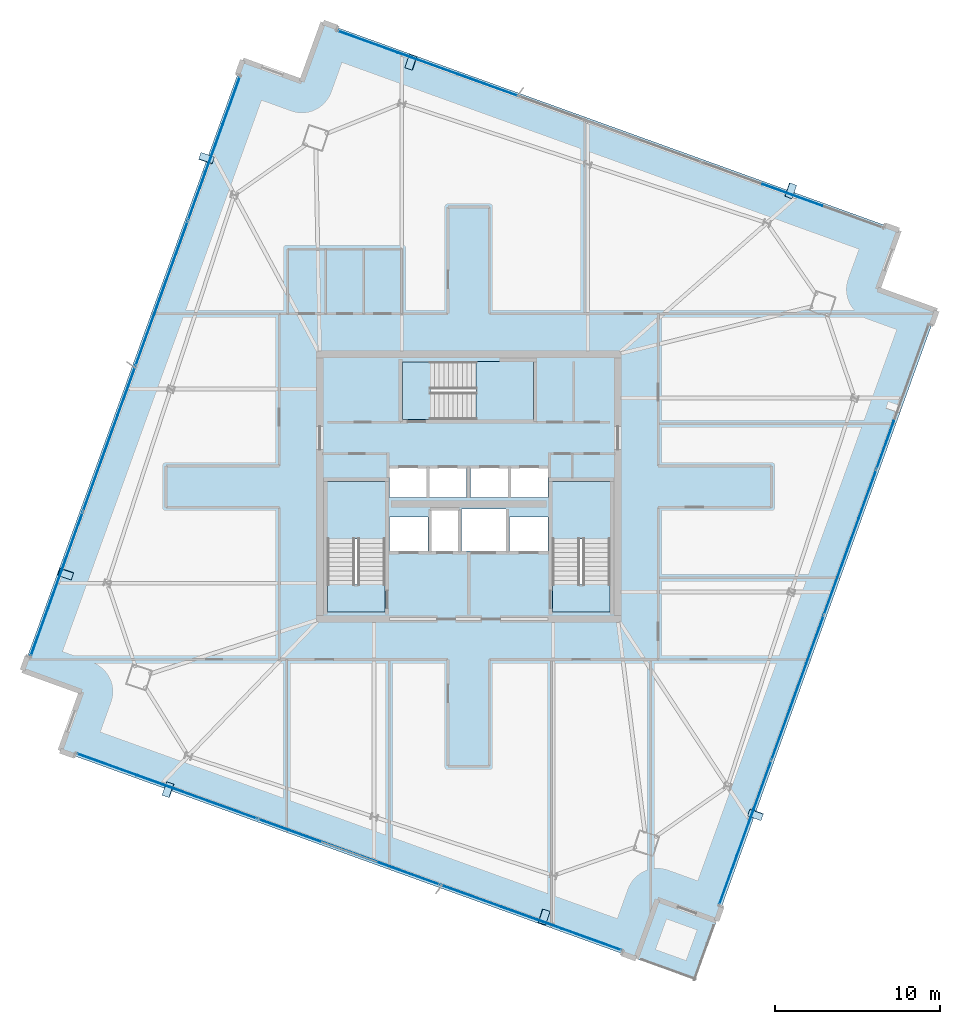
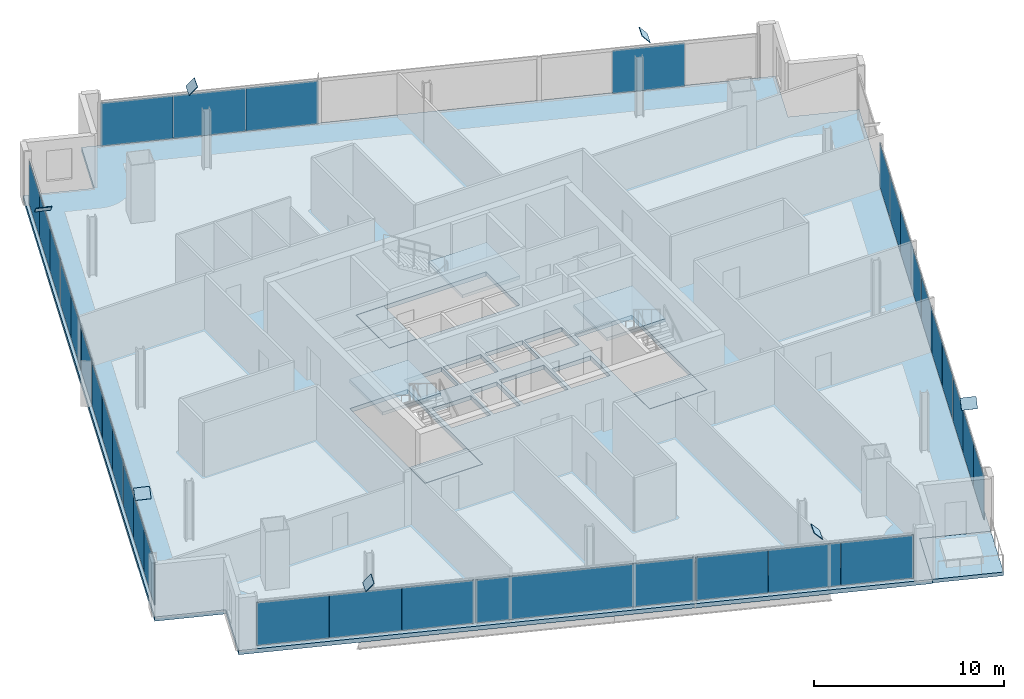
# One storey, part 18 of 27: 40 plates, 8 slabs, 7 elements without a shape of their own.
"""IFC4 building model written with IfcOpenShell, lengths in metres."""

import ifcopenshell
import ifcopenshell.guid

model = None  # the IFC model being written
_history = None  # IfcOwnerHistory: only IFC2X3 demands one
_inside = {}  # id of a spatial element -> (the spatial element, [elements in it])
_under = {}  # id of a project, library or spatial element -> (it, [spatial elements below it])
_declared = {}  # id of a project -> (the project, [libraries it declares])
_typed = {}  # id of a type object -> (the type object, [elements of that type])
_made_of = {}  # id of a material, layer set ... -> (it, [elements and type objects made of it])


def new_model(schema):
    """Start an empty IFC model of exactly this schema.

    Asked for "IFC4X3", IfcOpenShell would pick the latest addendum, in which some entities
    have other attributes; the version numbers below select the first issue.
    IFC2X3 requires an IfcOwnerHistory on every rooted entity: one is made here for all.
    """
    global model, _history
    if schema == "IFC4X3":
        model = ifcopenshell.file(schema_version=(4, 3, 0, 0))
    else:
        model = ifcopenshell.file(schema=schema)
    _inside.clear()
    _under.clear()
    _declared.clear()
    _typed.clear()
    _made_of.clear()
    _history = None
    if model.schema == "IFC2X3":
        org = make("IfcOrganization", Name="unknown")
        user = make(
            "IfcPersonAndOrganization",
            ThePerson=make("IfcPerson", FamilyName="unknown"),
            TheOrganization=org,
        )
        app = make(
            "IfcApplication",
            ApplicationDeveloper=org,
            Version="unknown",
            ApplicationFullName="unknown",
            ApplicationIdentifier="unknown",
        )
        _history = make(
            "IfcOwnerHistory",
            OwningUser=user,
            OwningApplication=app,
            ChangeAction="ADDED",
            CreationDate=0,
        )
    return model


def make(cls, **values):
    """One entity of the class cls with the attributes given. An attribute that is None is left unset."""
    return model.create_entity(
        cls, **{name: value for name, value in values.items() if value is not None}
    )


def rooted(cls, **values):
    """An entity with a GlobalId (a new one), such as an element, a storey or a relation."""
    return make(cls, GlobalId=ifcopenshell.guid.new(), OwnerHistory=_history, **values)


def si_unit(unit_type, name, prefix=None):
    """IfcSIUnit, for example si_unit("LENGTHUNIT", "METRE", prefix="MILLI")."""
    return make("IfcSIUnit", UnitType=unit_type, Prefix=prefix, Name=name)


def assignment(units):
    """IfcUnitAssignment: the units of a project."""
    return None if units is None else make("IfcUnitAssignment", Units=units)


def point(xyz):
    """IfcCartesianPoint."""
    return None if xyz is None else make("IfcCartesianPoint", Coordinates=xyz)


def direction(xyz):
    """IfcDirection."""
    return None if xyz is None else make("IfcDirection", DirectionRatios=xyz)


def frame(location, z_axis=None, x_axis=None):
    """IfcAxis2Placement3D, a coordinate frame: its origin and axes. An axis left out is left unset."""
    return make(
        "IfcAxis2Placement3D",
        Location=point(location),
        Axis=direction(z_axis),
        RefDirection=direction(x_axis),
    )


def frame_2d(location, x_axis=None):
    """IfcAxis2Placement2D, a coordinate frame in the plane: its origin and x axis."""
    return make(
        "IfcAxis2Placement2D", Location=point(location), RefDirection=direction(x_axis)
    )


def origin():
    """The frame at (0, 0, 0) with its axes left unset."""
    return frame((0.0, 0.0, 0.0))


def origin_2d():
    """The frame at (0, 0) in the plane with its x axis left unset."""
    return frame_2d((0.0, 0.0))


def place(relative_to, where):
    """IfcLocalPlacement: puts the frame where relative to a parent placement (None: the world)."""
    return make(
        "IfcLocalPlacement", PlacementRelTo=relative_to, RelativePlacement=where
    )


def context(
    kind, dimensions, precision=None, world=None, true_north=None, identifier=None
):
    """IfcGeometricRepresentationContext, for example the 3D "Model" context."""
    return make(
        "IfcGeometricRepresentationContext",
        ContextIdentifier=identifier,
        ContextType=kind,
        CoordinateSpaceDimension=dimensions,
        Precision=precision,
        WorldCoordinateSystem=world,
        TrueNorth=true_north,
    )


def subcontext(parent, identifier, kind, view, scale=None):
    """IfcGeometricRepresentationSubContext, for example "Body" below "Model"."""
    return make(
        "IfcGeometricRepresentationSubContext",
        ContextIdentifier=identifier,
        ContextType=kind,
        ParentContext=parent,
        TargetScale=scale,
        TargetView=view,
    )


def project(units=None, contexts=None):
    """IfcProject with its units and contexts."""
    return rooted(
        "IfcProject",
        Name="project",
        RepresentationContexts=contexts,
        UnitsInContext=assignment(units),
    )


def spatial(cls, under=None, at=None, **own):
    """A site, building, storey or space (cls), placed at a placement, below another one or the project."""
    s = rooted(cls, ObjectPlacement=at, **own)
    if under is not None:
        _under.setdefault(under.id(), (under, []))[1].append(s)
    return s


def polyline(points):
    """IfcPolyline through the points."""
    return make("IfcPolyline", Points=[point(p) for p in points])


def profile(cls, at=None, kind="AREA", **sizes):
    """A parametric profile (cls). Its sizes go by their IFC names, for example OverallWidth=200.0."""
    return make(cls, ProfileType=kind, Position=at, **sizes)


def rectangle(**sizes):
    """IfcRectangleProfileDef."""
    return profile("IfcRectangleProfileDef", **sizes)


def outline(outer, holes=None, kind="AREA"):
    """IfcArbitraryClosedProfileDef: a profile drawn as a closed curve; with holes, ...WithVoids."""
    if holes is None:
        return make("IfcArbitraryClosedProfileDef", ProfileType=kind, OuterCurve=outer)
    return make(
        "IfcArbitraryProfileDefWithVoids",
        ProfileType=kind,
        OuterCurve=outer,
        InnerCurves=holes,
    )


def extrude(swept, where, along, depth):
    """IfcExtrudedAreaSolid: the profile swept, set in the frame where, extruded along a direction by depth."""
    return make(
        "IfcExtrudedAreaSolid",
        SweptArea=swept,
        Position=where,
        ExtrudedDirection=direction(along),
        Depth=depth,
    )


def shape(context_of_items, identifier, shape_type, items):
    """IfcShapeRepresentation: the items that make up one representation, for example the "Body"."""
    return make(
        "IfcShapeRepresentation",
        ContextOfItems=context_of_items,
        RepresentationIdentifier=identifier,
        RepresentationType=shape_type,
        Items=items,
    )


def source(mapping_origin, context_of_items, identifier, shape_type, items):
    """IfcRepresentationMap: a shape defined once, which mapped items show again and again."""
    return make(
        "IfcRepresentationMap",
        MappingOrigin=mapping_origin,
        MappedRepresentation=shape(context_of_items, identifier, shape_type, items),
    )


def transform(
    local_origin,
    x_axis=None,
    y_axis=None,
    z_axis=None,
    scale=None,
    scale2=None,
    scale3=None,
    uniform=True,
):
    """IfcCartesianTransformationOperator3D, or its non-uniform kind. x_axis, y_axis, z_axis: its Axis1, 2, 3."""
    if uniform:
        return make(
            "IfcCartesianTransformationOperator3D",
            Axis1=direction(x_axis),
            Axis2=direction(y_axis),
            LocalOrigin=point(local_origin),
            Scale=scale,
            Axis3=direction(z_axis),
        )
    return make(
        "IfcCartesianTransformationOperator3DnonUniform",
        Axis1=direction(x_axis),
        Axis2=direction(y_axis),
        LocalOrigin=point(local_origin),
        Scale=scale,
        Axis3=direction(z_axis),
        Scale2=scale2,
        Scale3=scale3,
    )


def mapped(mapping_source, mapping_target):
    """IfcMappedItem: shows the shape of a source again, moved by a transform."""
    return make(
        "IfcMappedItem", MappingSource=mapping_source, MappingTarget=mapping_target
    )


def material(Name=None, Category=None):
    """IfcMaterial."""
    return make("IfcMaterial", Name=Name, Category=Category)


def layer(
    of_material, thickness, ventilated=None, Name=None, Category=None, Priority=None
):
    """IfcMaterialLayer: one layer of a wall or slab, of a material (None: an air gap)."""
    return make(
        "IfcMaterialLayer",
        Material=of_material,
        LayerThickness=thickness,
        IsVentilated=ventilated,
        Name=Name,
        Category=Category,
        Priority=Priority,
    )


def layer_set(layers, Name=None):
    """IfcMaterialLayerSet."""
    return make("IfcMaterialLayerSet", MaterialLayers=layers, LayerSetName=Name)


def made_of(thing, what):
    """Note that an element or type object is made of a material, layer set ...; save() writes the relation."""
    if what is not None:
        _made_of.setdefault(what.id(), (what, []))[1].append(thing)
    return thing


def type_object(cls, material=None, **own):
    """A type object (cls), such as IfcWallType, which elements share."""
    return made_of(rooted(cls, **own), material)


def element(
    cls,
    number,
    at=None,
    inside=None,
    cuts=None,
    type_object=None,
    material=None,
    context=None,
    identifier="Body",
    shape_type=None,
    held_by="IfcProductDefinitionShape",
    body=None,
    shapes=None,
    **own,
):
    """One element of the class cls, such as IfcWall. Its Tag is "e" and its number.

    at: its placement. inside: the storey or other place that contains it. cuts: it is an
    opening in that element (IfcRelVoidsElement). A single representation is given by context,
    identifier, shape_type and body (its items); several are given by shapes. held_by: the class
    of the entity that holds the representations. save() writes the other relations.
    """
    e = rooted(cls, Tag="e%d" % number, ObjectPlacement=at, **own)
    if body is not None:
        shapes = [shape(context, identifier, shape_type, body)]
    if shapes is not None:
        e.Representation = make(held_by, Representations=shapes)
    if inside is not None:
        _inside.setdefault(inside.id(), (inside, []))[1].append(e)
    if cuts is not None:
        rooted(
            "IfcRelVoidsElement", RelatingBuildingElement=cuts, RelatedOpeningElement=e
        )
    if type_object is not None:
        _typed.setdefault(type_object.id(), (type_object, []))[1].append(e)
    return made_of(e, material)


def aggregate(whole, parts):
    """IfcRelAggregates: a whole, such as a stair, and the parts it consists of."""
    return rooted("IfcRelAggregates", RelatingObject=whole, RelatedObjects=parts)


def save(model, path):
    """Write the relations noted so far, then the file.

    IfcRelAggregates (storeys below a building ...), IfcRelContainedInSpatialStructure (elements
    in a storey), IfcRelDefinesByType, IfcRelAssociatesMaterial and IfcRelDeclares: one each for
    every whole, place, type object, material and project.
    """
    for whole, parts in _under.values():
        aggregate(whole, parts)
    for where, things in _inside.values():
        rooted(
            "IfcRelContainedInSpatialStructure",
            RelatedElements=things,
            RelatingStructure=where,
        )
    for kind, things in _typed.values():
        rooted("IfcRelDefinesByType", RelatedObjects=things, RelatingType=kind)
    for what, things in _made_of.values():
        rooted("IfcRelAssociatesMaterial", RelatedObjects=things, RelatingMaterial=what)
    for by, libraries in _declared.values():
        rooted("IfcRelDeclares", RelatingContext=by, RelatedDefinitions=libraries)
    model.write(path)


model = new_model("IFC4")

# Units and contexts
model_context = context("Model", 3, precision=1e-05, world=origin(), true_north=direction((0.0, 1.0)))
body_context = subcontext(model_context, "Body", "Model", "MODEL_VIEW")
ifc_project = project(units=[si_unit("LENGTHUNIT", "METRE"), si_unit("AREAUNIT", "SQUARE_METRE"), si_unit("VOLUMEUNIT", "CUBIC_METRE"), si_unit("PLANEANGLEUNIT", "RADIAN"), si_unit("MASSUNIT", "GRAM", prefix="KILO")], contexts=[model_context])

# Site, building, storey
site_placement = place(None, origin())
site = spatial("IfcSite", under=ifc_project, at=site_placement, CompositionType="ELEMENT")
building_placement = place(site_placement, origin())
building = spatial("IfcBuilding", under=site, at=building_placement, Name="Haldenkirk Collegiate Tower", CompositionType="ELEMENT")
storey_placement = place(building_placement, frame((0.0, 0.0, 263.699951171875)))
storey = spatial("IfcBuildingStorey", under=building, at=storey_placement, Name="L66", CompositionType="ELEMENT", Elevation=263.699951171875)

# Slab
ifc_material_1 = material(Name="Concrete f'c 40 MPa", Category="concrete")
ifc_layer_1 = layer(ifc_material_1, 0.27001953125)
ifc_layer_set_1 = layer_set([ifc_layer_1], Name="Concrete f'c 40 MPa")
slab_type_1 = type_object("IfcSlabType", Name="SLB-FLR-270", PredefinedType="FLOOR", material=ifc_layer_set_1)
slab_1_placement = place(storey_placement, frame((0.0, 0.0, -0.27001953125)))
element("IfcSlab", 1, at=slab_1_placement, inside=storey, type_object=slab_type_1, Name="L66 composite structural floor slab", PredefinedType="FLOOR", context=body_context, shape_type="SweptSolid", body=[
    extrude(outline(polyline([(50.97802734375, -0.245361328125), (64.288818359375, 36.62548828125), (60.714599609375, 37.916015625), (62.0048828125, 41.490234375), (27.203369140625, 54.0537109375), (25.912841796875, 50.4794921875), (22.338623046875, 51.77001953125), (9.028076171875, 14.89892578125), (12.602294921875, 13.608642578125), (11.31201171875, 10.034423828125), (46.113525390625, -2.529296875), (47.40380859375, 1.044921875), (50.97802734375, -0.245361328125)]), holes=[polyline([(27.449951171875, 18.39990234375), (30.949951171875, 18.39990234375), (30.949951171875, 26.300048828125), (27.449951171875, 26.300048828125), (27.449951171875, 18.39990234375)]), polyline([(41.050048828125, 18.39990234375), (44.550048828125, 18.39990234375), (44.550048828125, 26.300048828125), (41.050048828125, 26.300048828125), (41.050048828125, 18.39990234375)]), polyline([(32.0, 30.050048828125), (39.89990234375, 30.050048828125), (39.89990234375, 33.550048828125), (32.0, 33.550048828125), (32.0, 30.050048828125)]), polyline([(33.75, 22.10009765625), (35.35009765625, 22.10009765625), (35.35009765625, 24.550048828125), (33.75, 24.550048828125), (33.75, 22.10009765625)]), polyline([(31.199951171875, 25.35009765625), (33.47998046875, 25.35009765625), (33.47998046875, 27.14990234375), (31.199951171875, 27.14990234375), (31.199951171875, 25.35009765625)]), polyline([(33.60009765625, 25.35009765625), (35.8798828125, 25.35009765625), (35.8798828125, 27.14990234375), (33.60009765625, 27.14990234375), (33.60009765625, 25.35009765625)]), polyline([(36.1201171875, 25.35009765625), (38.39990234375, 25.35009765625), (38.39990234375, 27.14990234375), (36.1201171875, 27.14990234375), (36.1201171875, 25.35009765625)]), polyline([(38.52001953125, 25.35009765625), (40.800048828125, 25.35009765625), (40.800048828125, 27.14990234375), (38.52001953125, 27.14990234375), (38.52001953125, 25.35009765625)]), polyline([(31.199951171875, 22.10009765625), (33.550048828125, 22.10009765625), (33.550048828125, 24.14990234375), (31.199951171875, 24.14990234375), (31.199951171875, 22.10009765625)]), polyline([(38.449951171875, 22.10009765625), (40.800048828125, 22.10009765625), (40.800048828125, 24.14990234375), (38.449951171875, 24.14990234375), (38.449951171875, 22.10009765625)]), polyline([(35.550048828125, 22.10009765625), (38.25, 22.10009765625), (38.25, 24.64990234375), (35.550048828125, 24.64990234375), (35.550048828125, 22.10009765625)])]), origin(), (0.0, 0.0, 1.0), 0.27001953125),
])

# Stair, slab
stair_type = type_object("IfcStairType", Name="STR-DOGLEG-1650", PredefinedType="HALF_TURN_STAIR", material=ifc_material_1)
stair_1_placement = place(storey_placement, origin())
stair_1 = element("IfcStair", 2, at=stair_1_placement, inside=storey, type_object=stair_type, Name="L66 Core Exit Stair ST-1", PredefinedType="HALF_TURN_STAIR")
ifc_layer_2 = layer(ifc_material_1, 0.199951171875)
ifc_layer_set_2 = layer_set([ifc_layer_2], Name="Concrete f'c 40 MPa")
slab_type_2 = type_object("IfcSlabType", Name="SLB-LANDING-200", PredefinedType="LANDING", material=ifc_layer_set_2)
slab_2_placement = place(storey_placement, frame((0.0, 0.0, 1.675048828125)))
slab_2 = element("IfcSlab", 3, at=slab_2_placement, type_object=slab_type_2, Name="ST-1 landing 1", PredefinedType="LANDING", context=body_context, shape_type="SweptSolid", body=[
    extrude(outline(polyline([(30.97509765625, 22.824951171875), (27.425048828125, 22.824951171875), (27.425048828125, 26.324951171875), (30.97509765625, 26.324951171875), (30.97509765625, 22.824951171875)])), origin(), (0.0, 0.0, 1.0), 0.199951171875),
])
aggregate(stair_1, [slab_2])

stair_2_placement = place(storey_placement, origin())
stair_2 = element("IfcStair", 4, at=stair_2_placement, inside=storey, type_object=stair_type, Name="L66 Core Exit Stair ST-2", PredefinedType="HALF_TURN_STAIR")
slab_3_placement = place(storey_placement, frame((0.0, 0.0, 1.675048828125)))
slab_3 = element("IfcSlab", 5, at=slab_3_placement, type_object=slab_type_2, Name="ST-2 landing 1", PredefinedType="LANDING", context=body_context, shape_type="SweptSolid", body=[
    extrude(outline(polyline([(44.574951171875, 22.824951171875), (41.02490234375, 22.824951171875), (41.02490234375, 26.324951171875), (44.574951171875, 26.324951171875), (44.574951171875, 22.824951171875)])), origin(), (0.0, 0.0, 1.0), 0.199951171875),
])
aggregate(stair_2, [slab_3])

stair_3_placement = place(storey_placement, origin())
stair_3 = element("IfcStair", 6, at=stair_3_placement, inside=storey, type_object=stair_type, Name="L66 Core Exit Stair ST-3", PredefinedType="HALF_TURN_STAIR")
slab_4_placement = place(storey_placement, frame((0.0, 0.0, 1.675048828125)))
slab_4 = element("IfcSlab", 7, at=slab_4_placement, type_object=slab_type_2, Name="ST-3 landing 1", PredefinedType="LANDING", context=body_context, shape_type="SweptSolid", body=[
    extrude(outline(polyline([(36.425048828125, 30.02490234375), (36.425048828125, 33.574951171875), (39.925048828125, 33.574951171875), (39.925048828125, 30.02490234375), (36.425048828125, 30.02490234375)])), origin(), (0.0, 0.0, 1.0), 0.199951171875),
])
aggregate(stair_3, [slab_4])

# Slabs
ifc_layer_3 = layer(ifc_material_1, 0.25)
ifc_layer_set_3 = layer_set([ifc_layer_3], Name="Concrete f'c 40 MPa")
slab_type_3 = type_object("IfcSlabType", Name="SLB-STAIRLAND-250", PredefinedType="LANDING", material=ifc_layer_set_3)
slab_5_placement = place(storey_placement, frame((0.0, 0.0, -0.25)))
element("IfcSlab", 8, at=slab_5_placement, inside=storey, type_object=slab_type_3, Name="L66 stair ST1 structural floor landing slab", PredefinedType="LANDING", context=body_context, shape_type="SweptSolid", body=[
    extrude(outline(polyline([(27.4599609375, 18.409912109375), (30.93994140625, 18.409912109375), (30.93994140625, 20.080078125), (27.4599609375, 20.080078125), (27.4599609375, 18.409912109375)])), origin(), (0.0, 0.0, 1.0), 0.25),
])
slab_6_placement = place(storey_placement, frame((0.0, 0.0, -0.25)))
element("IfcSlab", 9, at=slab_6_placement, inside=storey, type_object=slab_type_3, Name="L66 stair ST2 structural floor landing slab", PredefinedType="LANDING", context=body_context, shape_type="SweptSolid", body=[
    extrude(outline(polyline([(41.06005859375, 18.409912109375), (44.5400390625, 18.409912109375), (44.5400390625, 20.080078125), (41.06005859375, 20.080078125), (41.06005859375, 18.409912109375)])), origin(), (0.0, 0.0, 1.0), 0.25),
])
slab_7_placement = place(storey_placement, frame((0.0, 0.0, -0.25)))
element("IfcSlab", 10, at=slab_7_placement, inside=storey, type_object=slab_type_3, Name="L66 stair ST3 structural floor landing slab", PredefinedType="LANDING", context=body_context, shape_type="SweptSolid", body=[
    extrude(outline(polyline([(32.010009765625, 30.06005859375), (33.679931640625, 30.06005859375), (33.679931640625, 33.5400390625), (32.010009765625, 33.5400390625), (32.010009765625, 30.06005859375)])), origin(), (0.0, 0.0, 1.0), 0.25),
])
ifc_layer_4 = layer(ifc_material_1, 0.22998046875)
ifc_layer_set_4 = layer_set([ifc_layer_4], Name="Concrete f'c 40 MPa")
slab_type_4 = type_object("IfcSlabType", Name="SLB-TERR-SPIRAL-230", PredefinedType="FLOOR", material=ifc_layer_set_4)
slab_8_placement = place(storey_placement, frame((0.0, 0.0, -0.22998046875)))
element("IfcSlab", 11, at=slab_8_placement, inside=storey, type_object=slab_type_4, Name="L66 spiralling corner terrace slab", PredefinedType="FLOOR", context=body_context, shape_type="SweptSolid", body=[
    extrude(outline(polyline([(49.687744140625, -3.819580078125), (50.97802734375, -0.245361328125), (47.40380859375, 1.044921875), (46.113525390625, -2.529296875), (49.687744140625, -3.819580078125)])), origin(), (0.0, 0.0, 1.0), 0.22998046875),
])

# Plates
ifc_material_2 = material(Name="Steel ASTM A572 Grade 50", Category="steel")
ifc_layer_5 = layer(ifc_material_2, 0.034912109375)
ifc_layer_set_5 = layer_set([ifc_layer_5], Name="Steel ASTM A572 Grade 50")
plate_type_1 = type_object("IfcPlateType", Name="PLT-CAP-EXT-760X600", PredefinedType="USERDEFINED", material=ifc_layer_set_5)
shared_shape_1 = source(origin(), body_context, "Body", "SweptSolid", [
    extrude(rectangle(XDim=0.860107421875, YDim=0.659912109375, at=origin_2d()), origin(), (0.0, 0.0, 1.0), 0.034912109375),
])
for number, where, z_axis, x_axis, name in (
    (12, (53.33837890625, 6.172607421875, 3.468017578125), (-0.248767934633, -0.725307809417, 0.641905831332), (0.9459094531, -0.324430742279, -3.27138e-07), "Perimeter Mega Brace Z5 L64-L66 SL end cap plate 2"),
    (13, (55.447265625, 43.889404296875, 3.468017578125), (0.702247292946, -0.239446099886, 0.670458279685), (0.322726786958, 0.94649216636, -2.3073e-07), "Perimeter Mega Brace Z5 L64-L66 EL end cap plate 2"),
    (14, (32.519775390625, 51.64990234375, 3.468017578125), (-0.68500003144, 0.230054010559, 0.691267031727), (-0.318369961226, -0.947966543602, 1.03841e-07), "Perimeter Mega Brace Z5 L64-L66 ER end cap plate 2"),
    (15, (20.143798828125, 45.83984375, 3.46826171875), (0.250530017606, 0.732732051492, 0.632723044464), (-0.946219940997, 0.323524069057, 6.8987e-08), "Perimeter Mega Brace Z5 L64-L66 NL end cap plate 2"),
    (16, (11.64404296875, 20.728515625, 3.46826171875), (-0.238022017833, -0.710973053267, 0.661712049576), (0.948269972249, -0.317465052772, 5.1941e-08), "Perimeter Mega Brace Z5 L64-L66 NR end cap plate 2"),
    (17, (17.838134765625, 7.675537109375, 3.468017578125), (-0.696650093716, 0.24211303257, 0.675322090847), (-0.328278782463, -0.944580881124, -1.52418e-07), "Perimeter Mega Brace Z5 L64-L66 WL end cap plate 2"),
    (18, (40.540771484375, -0.0087890625, 3.468017578125), (0.684355138488, -0.225155045563, 0.693515140341), (0.312523702282, 0.949909961792, -2.60741e-07), "Perimeter Mega Brace Z5 L64-L66 WR end cap plate 2"),
):
    element("IfcPlate", number, at=place(storey_placement, frame(where, z_axis=z_axis, x_axis=x_axis)), inside=storey, type_object=plate_type_1, Name=name, ObjectType="END CAP PLATE", PredefinedType="USERDEFINED", context=body_context, shape_type="MappedRepresentation", body=[
        mapped(shared_shape_1, transform((0.0, 0.0, 0.0), x_axis=(1.0, 0.0, 0.0), y_axis=(0.0, 1.0, 0.0), z_axis=(0.0, 0.0, 1.0), scale=1.0)),
    ])

# Curtain wall, plates
ifc_material_3 = material(Name="Anodised architectural bronze aluminium", Category="aluminium")
curtain_wall_type_1 = type_object("IfcCurtainWallType", Name="CW-SYS2-CONCAVE", PredefinedType="USERDEFINED", material=ifc_material_3)
curtain_wall_1_placement = place(storey_placement, origin())
curtain_wall_1 = element("IfcCurtainWall", 19, at=curtain_wall_1_placement, inside=storey, type_object=curtain_wall_type_1, Name="L66 South concave recessed bronze-anodised curtain wall", ObjectType="UNITISED CURTAIN WALL", PredefinedType="USERDEFINED")
ifc_material_4 = material(Name="Bronze-anodised insulated aluminium spandrel panel", Category="aluminium")
ifc_layer_6 = layer(ifc_material_4, 0.0419921875)
ifc_layer_set_6 = layer_set([ifc_layer_6], Name="Bronze-anodised insulated aluminium spandrel panel")
plate_type_2 = type_object("IfcPlateType", Name="CW-SPD-02", PredefinedType="CURTAIN_PANEL", material=ifc_layer_set_6)
shared_shape_2 = source(origin(), body_context, "Body", "SweptSolid", [
    extrude(rectangle(XDim=3.0791015625, YDim=0.0419921875, at=origin_2d()), origin(), (0.0, 0.0, 1.0), 2.7880859375),
])
plate_1_placement = place(storey_placement, frame((60.103515625, 25.562255859375, 0.074951171875), z_axis=(0.0, 0.0, 1.0), x_axis=(-0.339558587006, -0.940584906317, 0.0)))
plate_1 = element("IfcPlate", 20, at=plate_1_placement, type_object=plate_type_2, Name="CW-02 spandrel panel 2.1a", PredefinedType="CURTAIN_PANEL", context=body_context, shape_type="MappedRepresentation", body=[
    mapped(shared_shape_2, transform((0.0, 0.0, 0.0), x_axis=(1.0, 0.0, 0.0), y_axis=(0.0, 1.0, 0.0), z_axis=(0.0, 0.0, 1.0), scale=1.0)),
])
ifc_material_5 = material(Name="Low-E argon triple insulating glass", Category="glass")
ifc_layer_7 = layer(ifc_material_5, 0.0419921875)
ifc_layer_set_7 = layer_set([ifc_layer_7], Name="Low-E argon triple insulating glass")
plate_type_3 = type_object("IfcPlateType", Name="CW-PNL-02", PredefinedType="CURTAIN_PANEL", material=ifc_layer_set_7)
plate_2_placement = place(storey_placement, frame((57.999755859375, 19.734619140625, 0.074951171875), z_axis=(0.0, 0.0, 1.0), x_axis=(-0.339558587006, -0.940584906317, 0.0)))
plate_2 = element("IfcPlate", 21, at=plate_2_placement, type_object=plate_type_3, Name="CW-02 panel 2.1c", PredefinedType="CURTAIN_PANEL", context=body_context, shape_type="MappedRepresentation", body=[
    mapped(shared_shape_2, transform((0.0, 0.0, 0.0), x_axis=(1.0, 0.0, 0.0), y_axis=(0.0, 1.0, 0.0), z_axis=(0.0, 0.0, 1.0), scale=1.0)),
])
plate_3_placement = place(storey_placement, frame((56.9287109375, 16.767822265625, 0.074951171875), z_axis=(0.0, 0.0, 1.0), x_axis=(-0.339558587006, -0.940584906317, 0.0)))
plate_3 = element("IfcPlate", 22, at=plate_3_placement, type_object=plate_type_3, Name="CW-02 panel 3.1a", PredefinedType="CURTAIN_PANEL", context=body_context, shape_type="MappedRepresentation", body=[
    mapped(shared_shape_2, transform((0.0, 0.0, 0.0), x_axis=(1.0, 0.0, 0.0), y_axis=(0.0, 1.0, 0.0), z_axis=(0.0, 0.0, 1.0), scale=1.0)),
])
plate_4_placement = place(storey_placement, frame((54.82470703125, 10.940185546875, 0.074951171875), z_axis=(0.0, 0.0, 1.0), x_axis=(-0.339558587006, -0.940584906317, 0.0)))
plate_4 = element("IfcPlate", 23, at=plate_4_placement, type_object=plate_type_2, Name="CW-02 spandrel panel 3.1c", PredefinedType="CURTAIN_PANEL", context=body_context, shape_type="MappedRepresentation", body=[
    mapped(shared_shape_2, transform((0.0, 0.0, 0.0), x_axis=(1.0, 0.0, 0.0), y_axis=(0.0, 1.0, 0.0), z_axis=(0.0, 0.0, 1.0), scale=1.0)),
])
shared_shape_3 = source(origin(), body_context, "Body", "SweptSolid", [
    extrude(rectangle(XDim=3.066650390625, YDim=0.0419921875, at=origin_2d()), origin(), (0.0, 0.0, 1.0), 2.7880859375),
])
plate_5_placement = place(storey_placement, frame((61.17236328125, 28.523193359375, 0.074951171875), z_axis=(0.0, 0.0, 1.0), x_axis=(-0.339558587006, -0.940584906317, 0.0)))
plate_5 = element("IfcPlate", 24, at=plate_5_placement, type_object=plate_type_2, Name="CW-02 spandrel panel 1.1c", PredefinedType="CURTAIN_PANEL", context=body_context, shape_type="MappedRepresentation", body=[
    mapped(shared_shape_3, transform((0.0, 0.0, 0.0), x_axis=(1.0, 0.0, 0.0), y_axis=(0.0, 1.0, 0.0), z_axis=(0.0, 0.0, 1.0), scale=1.0)),
])
plate_6_placement = place(storey_placement, frame((59.051513671875, 22.6484375, 0.074951171875), z_axis=(0.0, 0.0, 1.0), x_axis=(-0.339558587006, -0.940584906317, 0.0)))
plate_6 = element("IfcPlate", 25, at=plate_6_placement, type_object=plate_type_3, Name="CW-02 panel 2.1b", PredefinedType="CURTAIN_PANEL", context=body_context, shape_type="MappedRepresentation", body=[
    mapped(shared_shape_3, transform((0.0, 0.0, 0.0), x_axis=(1.0, 0.0, 0.0), y_axis=(0.0, 1.0, 0.0), z_axis=(0.0, 0.0, 1.0), scale=1.0)),
])
plate_7_placement = place(storey_placement, frame((55.876708984375, 13.85400390625, 0.074951171875), z_axis=(0.0, 0.0, 1.0), x_axis=(-0.339558587006, -0.940584906317, 0.0)))
plate_7 = element("IfcPlate", 26, at=plate_7_placement, type_object=plate_type_3, Name="CW-02 panel 3.1b", PredefinedType="CURTAIN_PANEL", context=body_context, shape_type="MappedRepresentation", body=[
    mapped(shared_shape_3, transform((0.0, 0.0, 0.0), x_axis=(1.0, 0.0, 0.0), y_axis=(0.0, 1.0, 0.0), z_axis=(0.0, 0.0, 1.0), scale=1.0)),
])
plate_8_placement = place(storey_placement, frame((53.755859375, 7.979248046875, 0.074951171875), z_axis=(0.0, 0.0, 1.0), x_axis=(-0.339558587006, -0.940584906317, 0.0)))
plate_8 = element("IfcPlate", 27, at=plate_8_placement, type_object=plate_type_2, Name="CW-02 spandrel panel 4.1a", PredefinedType="CURTAIN_PANEL", context=body_context, shape_type="MappedRepresentation", body=[
    mapped(shared_shape_3, transform((0.0, 0.0, 0.0), x_axis=(1.0, 0.0, 0.0), y_axis=(0.0, 1.0, 0.0), z_axis=(0.0, 0.0, 1.0), scale=1.0)),
])
plate_9_placement = place(storey_placement, frame((51.660400390625, 2.175048828125, 0.074951171875), z_axis=(0.0, 0.0, 1.0), x_axis=(-0.339558587006, -0.940584906317, 0.0)))
plate_9 = element("IfcPlate", 28, at=plate_9_placement, type_object=plate_type_3, Name="CW-02 panel 4.1c", PredefinedType="CURTAIN_PANEL", context=body_context, shape_type="MappedRepresentation", body=[
    mapped(shared_shape_3, transform((0.0, 0.0, 0.0), x_axis=(1.0, 0.0, 0.0), y_axis=(0.0, 1.0, 0.0), z_axis=(0.0, 0.0, 1.0), scale=1.0)),
])

curtain_wall_type_2 = type_object("IfcCurtainWallType", Name="CW-SYS1B-CONVEX-HI", PredefinedType="USERDEFINED", material=ifc_material_3)
curtain_wall_2_placement = place(storey_placement, origin())
curtain_wall_2 = element("IfcCurtainWall", 29, at=curtain_wall_2_placement, inside=storey, type_object=curtain_wall_type_2, Name="L66 Upper tower high-wind convex bronze unitised curtain wall", ObjectType="UNITISED CURTAIN WALL", PredefinedType="USERDEFINED")
ifc_layer_8 = layer(ifc_material_4, 0.048095703125)
ifc_layer_set_8 = layer_set([ifc_layer_8], Name="Bronze-anodised insulated aluminium spandrel panel")
plate_type_4 = type_object("IfcPlateType", Name="CW-SPD-1B", PredefinedType="CURTAIN_PANEL", material=ifc_layer_set_8)
shared_shape_4 = source(origin(), body_context, "Body", "SweptSolid", [
    extrude(rectangle(XDim=3.07568359375, YDim=0.048095703125, at=origin_2d()), origin(), (0.0, 0.0, 1.0), 2.76806640625),
])
plate_10_placement = place(storey_placement, frame((13.21435546875, 25.96533203125, 0.0849609375), z_axis=(0.0, 0.0, 1.0), x_axis=(0.339558587006, 0.940584906317, 0.0)))
plate_10 = element("IfcPlate", 30, at=plate_10_placement, type_object=plate_type_4, Name="CW-1B spandrel panel 2.1a", PredefinedType="CURTAIN_PANEL", context=body_context, shape_type="MappedRepresentation", body=[
    mapped(shared_shape_4, transform((0.0, 0.0, 0.0), x_axis=(1.0, 0.0, 0.0), y_axis=(0.0, 1.0, 0.0), z_axis=(0.0, 0.0, 1.0), scale=1.0)),
])
ifc_layer_9 = layer(ifc_material_5, 0.048095703125)
ifc_layer_set_9 = layer_set([ifc_layer_9], Name="Low-E argon triple insulating glass")
plate_type_5 = type_object("IfcPlateType", Name="CW-PNL-1B", PredefinedType="CURTAIN_PANEL", material=ifc_layer_set_9)
plate_11_placement = place(storey_placement, frame((15.31591796875, 31.786865234375, 0.0849609375), z_axis=(0.0, 0.0, 1.0), x_axis=(0.339558587006, 0.940584906317, 0.0)))
plate_11 = element("IfcPlate", 31, at=plate_11_placement, type_object=plate_type_5, Name="CW-1B panel 2.1c", PredefinedType="CURTAIN_PANEL", context=body_context, shape_type="MappedRepresentation", body=[
    mapped(shared_shape_4, transform((0.0, 0.0, 0.0), x_axis=(1.0, 0.0, 0.0), y_axis=(0.0, 1.0, 0.0), z_axis=(0.0, 0.0, 1.0), scale=1.0)),
])
plate_12_placement = place(storey_placement, frame((16.389404296875, 34.760009765625, 0.0849609375), z_axis=(0.0, 0.0, 1.0), x_axis=(0.339558587006, 0.940584906317, 0.0)))
plate_12 = element("IfcPlate", 32, at=plate_12_placement, type_object=plate_type_5, Name="CW-1B panel 3.1a", PredefinedType="CURTAIN_PANEL", context=body_context, shape_type="MappedRepresentation", body=[
    mapped(shared_shape_4, transform((0.0, 0.0, 0.0), x_axis=(1.0, 0.0, 0.0), y_axis=(0.0, 1.0, 0.0), z_axis=(0.0, 0.0, 1.0), scale=1.0)),
])
plate_13_placement = place(storey_placement, frame((18.490966796875, 40.581298828125, 0.0849609375), z_axis=(0.0, 0.0, 1.0), x_axis=(0.339558587006, 0.940584906317, 0.0)))
plate_13 = element("IfcPlate", 33, at=plate_13_placement, type_object=plate_type_4, Name="CW-1B spandrel panel 3.1c", PredefinedType="CURTAIN_PANEL", context=body_context, shape_type="MappedRepresentation", body=[
    mapped(shared_shape_4, transform((0.0, 0.0, 0.0), x_axis=(1.0, 0.0, 0.0), y_axis=(0.0, 1.0, 0.0), z_axis=(0.0, 0.0, 1.0), scale=1.0)),
])
shared_shape_5 = source(origin(), body_context, "Body", "SweptSolid", [
    extrude(rectangle(XDim=3.063232421875, YDim=0.048095703125, at=origin_2d()), origin(), (0.0, 0.0, 1.0), 2.76806640625),
])
plate_14_placement = place(storey_placement, frame((14.26513671875, 28.876220703125, 0.0849609375), z_axis=(0.0, 0.0, 1.0), x_axis=(0.339558587006, 0.940584906317, 0.0)))
plate_14 = element("IfcPlate", 34, at=plate_14_placement, type_object=plate_type_5, Name="CW-1B panel 2.1b", PredefinedType="CURTAIN_PANEL", context=body_context, shape_type="MappedRepresentation", body=[
    mapped(shared_shape_5, transform((0.0, 0.0, 0.0), x_axis=(1.0, 0.0, 0.0), y_axis=(0.0, 1.0, 0.0), z_axis=(0.0, 0.0, 1.0), scale=1.0)),
])
plate_15_placement = place(storey_placement, frame((17.440185546875, 37.670654296875, 0.0849609375), z_axis=(0.0, 0.0, 1.0), x_axis=(0.339558587006, 0.940584906317, 0.0)))
plate_15 = element("IfcPlate", 35, at=plate_15_placement, type_object=plate_type_5, Name="CW-1B panel 3.1b", PredefinedType="CURTAIN_PANEL", context=body_context, shape_type="MappedRepresentation", body=[
    mapped(shared_shape_5, transform((0.0, 0.0, 0.0), x_axis=(1.0, 0.0, 0.0), y_axis=(0.0, 1.0, 0.0), z_axis=(0.0, 0.0, 1.0), scale=1.0)),
])

# Plate
shared_shape_6 = source(origin(), body_context, "Body", "SweptSolid", [
    extrude(rectangle(XDim=3.05419921875, YDim=0.0419921875, at=origin_2d()), origin(), (0.0, 0.0, 1.0), 2.7880859375),
])
plate_16_placement = place(storey_placement, frame((52.708251953125, 5.0771484375, 0.074951171875), z_axis=(0.0, 0.0, 1.0), x_axis=(-0.339558587006, -0.940584906317, 0.0)))
plate_16 = element("IfcPlate", 36, at=plate_16_placement, type_object=plate_type_2, Name="CW-02 spandrel panel 4.1b", PredefinedType="CURTAIN_PANEL", context=body_context, shape_type="MappedRepresentation", body=[
    mapped(shared_shape_6, transform((0.0, 0.0, 0.0), x_axis=(1.0, 0.0, 0.0), y_axis=(0.0, 1.0, 0.0), z_axis=(0.0, 0.0, 1.0), scale=1.0)),
])

aggregate(curtain_wall_1, [plate_5, plate_1, plate_6, plate_2, plate_3, plate_7, plate_4, plate_8, plate_16, plate_9])

# Curtain wall, plates
curtain_wall_3_placement = place(storey_placement, origin())
curtain_wall_3 = element("IfcCurtainWall", 37, at=curtain_wall_3_placement, inside=storey, type_object=curtain_wall_type_2, Name="L66 Upper tower high-wind convex bronze unitised curtain wall", ObjectType="UNITISED CURTAIN WALL", PredefinedType="USERDEFINED")
shared_shape_7 = source(origin(), body_context, "Body", "SweptSolid", [
    extrude(rectangle(XDim=3.856201171875, YDim=0.048095703125, at=origin_2d()), origin(), (0.0, 0.0, 1.0), 2.76806640625),
])
plate_17_placement = place(storey_placement, frame((29.882080078125, 52.8955078125, 0.0849609375), z_axis=(0.0, 0.0, 1.0), x_axis=(0.940585508255, -0.339556919618, 0.0)))
plate_17 = element("IfcPlate", 38, at=plate_17_placement, type_object=plate_type_5, Name="CW-1B panel 1.1a", PredefinedType="CURTAIN_PANEL", context=body_context, shape_type="MappedRepresentation", body=[
    mapped(shared_shape_7, transform((0.0, 0.0, 0.0), x_axis=(1.0, 0.0, 0.0), y_axis=(0.0, 1.0, 0.0), z_axis=(0.0, 0.0, 1.0), scale=1.0)),
])
plate_18_placement = place(storey_placement, frame((37.17138671875, 50.263916015625, 0.0849609375), z_axis=(0.0, 0.0, 1.0), x_axis=(0.940585508255, -0.339556919618, 0.0)))
plate_18 = element("IfcPlate", 39, at=plate_18_placement, type_object=plate_type_4, Name="CW-1B spandrel panel 1.1c", PredefinedType="CURTAIN_PANEL", context=body_context, shape_type="MappedRepresentation", body=[
    mapped(shared_shape_7, transform((0.0, 0.0, 0.0), x_axis=(1.0, 0.0, 0.0), y_axis=(0.0, 1.0, 0.0), z_axis=(0.0, 0.0, 1.0), scale=1.0)),
])

curtain_wall_4_placement = place(storey_placement, origin())
curtain_wall_4 = element("IfcCurtainWall", 40, at=curtain_wall_4_placement, inside=storey, type_object=curtain_wall_type_2, Name="L66 Upper tower high-wind convex bronze unitised curtain wall", ObjectType="UNITISED CURTAIN WALL", PredefinedType="USERDEFINED")
plate_19_placement = place(storey_placement, frame((43.434814453125, -1.37060546875, 0.0849609375), z_axis=(0.0, 0.0, 1.0), x_axis=(-0.940584928475, 0.339558525625, 0.0)))
plate_19 = element("IfcPlate", 41, at=plate_19_placement, type_object=plate_type_5, Name="CW-1B panel 1.1a", PredefinedType="CURTAIN_PANEL", context=body_context, shape_type="MappedRepresentation", body=[
    mapped(shared_shape_7, transform((0.0, 0.0, 0.0), x_axis=(1.0, 0.0, 0.0), y_axis=(0.0, 1.0, 0.0), z_axis=(0.0, 0.0, 1.0), scale=1.0)),
])
plate_20_placement = place(storey_placement, frame((36.1455078125, 1.2607421875, 0.0849609375), z_axis=(0.0, 0.0, 1.0), x_axis=(-0.940584928475, 0.339558525625, 0.0)))
plate_20 = element("IfcPlate", 42, at=plate_20_placement, type_object=plate_type_4, Name="CW-1B spandrel panel 1.1c", PredefinedType="CURTAIN_PANEL", context=body_context, shape_type="MappedRepresentation", body=[
    mapped(shared_shape_7, transform((0.0, 0.0, 0.0), x_axis=(1.0, 0.0, 0.0), y_axis=(0.0, 1.0, 0.0), z_axis=(0.0, 0.0, 1.0), scale=1.0)),
])
plate_21_placement = place(storey_placement, frame((21.40234375, 6.583251953125, 0.0849609375), z_axis=(0.0, 0.0, 1.0), x_axis=(-0.940584928475, 0.339558525625, 0.0)))
plate_21 = element("IfcPlate", 43, at=plate_21_placement, type_object=plate_type_4, Name="CW-1B spandrel panel 3.1a", PredefinedType="CURTAIN_PANEL", context=body_context, shape_type="MappedRepresentation", body=[
    mapped(shared_shape_7, transform((0.0, 0.0, 0.0), x_axis=(1.0, 0.0, 0.0), y_axis=(0.0, 1.0, 0.0), z_axis=(0.0, 0.0, 1.0), scale=1.0)),
])
plate_22_placement = place(storey_placement, frame((14.113037109375, 9.214599609375, 0.0849609375), z_axis=(0.0, 0.0, 1.0), x_axis=(-0.940584928475, 0.339558525625, 0.0)))
plate_22 = element("IfcPlate", 44, at=plate_22_placement, type_object=plate_type_5, Name="CW-1B panel 3.1c", PredefinedType="CURTAIN_PANEL", context=body_context, shape_type="MappedRepresentation", body=[
    mapped(shared_shape_7, transform((0.0, 0.0, 0.0), x_axis=(1.0, 0.0, 0.0), y_axis=(0.0, 1.0, 0.0), z_axis=(0.0, 0.0, 1.0), scale=1.0)),
])

# Plate
shared_shape_8 = source(origin(), body_context, "Body", "SweptSolid", [
    extrude(rectangle(XDim=3.843505859375, YDim=0.048095703125, at=origin_2d()), origin(), (0.0, 0.0, 1.0), 2.76806640625),
])
plate_23_placement = place(storey_placement, frame((33.52685546875, 51.57958984375, 0.0849609375), z_axis=(0.0, 0.0, 1.0), x_axis=(0.940585508255, -0.339556919618, 0.0)))
plate_23 = element("IfcPlate", 45, at=plate_23_placement, type_object=plate_type_4, Name="CW-1B spandrel panel 1.1b", PredefinedType="CURTAIN_PANEL", context=body_context, shape_type="MappedRepresentation", body=[
    mapped(shared_shape_8, transform((0.0, 0.0, 0.0), x_axis=(1.0, 0.0, 0.0), y_axis=(0.0, 1.0, 0.0), z_axis=(0.0, 0.0, 1.0), scale=1.0)),
])

plate_24_placement = place(storey_placement, frame((55.55908203125, 43.625732421875, 0.0849609375), z_axis=(0.0, 0.0, 1.0), x_axis=(0.940585508255, -0.339556919618, 0.0)))
plate_24 = element("IfcPlate", 46, at=plate_24_placement, type_object=plate_type_4, Name="CW-1B spandrel panel 3.1b", PredefinedType="CURTAIN_PANEL", context=body_context, shape_type="MappedRepresentation", body=[
    mapped(shared_shape_8, transform((0.0, 0.0, 0.0), x_axis=(1.0, 0.0, 0.0), y_axis=(0.0, 1.0, 0.0), z_axis=(0.0, 0.0, 1.0), scale=1.0)),
])

aggregate(curtain_wall_3, [plate_17, plate_23, plate_18, plate_24])

plate_25_placement = place(storey_placement, frame((39.7900390625, -0.054931640625, 0.0849609375), z_axis=(0.0, 0.0, 1.0), x_axis=(-0.940584928475, 0.339558525625, 0.0)))
plate_25 = element("IfcPlate", 47, at=plate_25_placement, type_object=plate_type_4, Name="CW-1B spandrel panel 1.1b", PredefinedType="CURTAIN_PANEL", context=body_context, shape_type="MappedRepresentation", body=[
    mapped(shared_shape_8, transform((0.0, 0.0, 0.0), x_axis=(1.0, 0.0, 0.0), y_axis=(0.0, 1.0, 0.0), z_axis=(0.0, 0.0, 1.0), scale=1.0)),
])

plate_26_placement = place(storey_placement, frame((17.757568359375, 7.89892578125, 0.0849609375), z_axis=(0.0, 0.0, 1.0), x_axis=(-0.940584928475, 0.339558525625, 0.0)))
plate_26 = element("IfcPlate", 48, at=plate_26_placement, type_object=plate_type_4, Name="CW-1B spandrel panel 3.1b", PredefinedType="CURTAIN_PANEL", context=body_context, shape_type="MappedRepresentation", body=[
    mapped(shared_shape_8, transform((0.0, 0.0, 0.0), x_axis=(1.0, 0.0, 0.0), y_axis=(0.0, 1.0, 0.0), z_axis=(0.0, 0.0, 1.0), scale=1.0)),
])

shared_shape_9 = source(origin(), body_context, "Body", "SweptSolid", [
    extrude(rectangle(XDim=3.061767578125, YDim=0.048095703125, at=origin_2d()), origin(), (0.0, 0.0, 1.0), 2.76806640625),
])
plate_27_placement = place(storey_placement, frame((10.051513671875, 17.2041015625, 0.0849609375), z_axis=(0.0, 0.0, 1.0), x_axis=(0.339558587006, 0.940584906317, 0.0)))
plate_27 = element("IfcPlate", 49, at=plate_27_placement, type_object=plate_type_5, Name="CW-1B panel 1.1a", PredefinedType="CURTAIN_PANEL", context=body_context, shape_type="MappedRepresentation", body=[
    mapped(shared_shape_9, transform((0.0, 0.0, 0.0), x_axis=(1.0, 0.0, 0.0), y_axis=(0.0, 1.0, 0.0), z_axis=(0.0, 0.0, 1.0), scale=1.0)),
])

plate_28_placement = place(storey_placement, frame((12.1435546875, 22.9990234375, 0.0849609375), z_axis=(0.0, 0.0, 1.0), x_axis=(0.339558587006, 0.940584906317, 0.0)))
plate_28 = element("IfcPlate", 50, at=plate_28_placement, type_object=plate_type_4, Name="CW-1B spandrel panel 1.1c", PredefinedType="CURTAIN_PANEL", context=body_context, shape_type="MappedRepresentation", body=[
    mapped(shared_shape_9, transform((0.0, 0.0, 0.0), x_axis=(1.0, 0.0, 0.0), y_axis=(0.0, 1.0, 0.0), z_axis=(0.0, 0.0, 1.0), scale=1.0)),
])

plate_29_placement = place(storey_placement, frame((19.561767578125, 43.547607421875, 0.0849609375), z_axis=(0.0, 0.0, 1.0), x_axis=(0.339558587006, 0.940584906317, 0.0)))
plate_29 = element("IfcPlate", 51, at=plate_29_placement, type_object=plate_type_4, Name="CW-1B spandrel panel 4.1a", PredefinedType="CURTAIN_PANEL", context=body_context, shape_type="MappedRepresentation", body=[
    mapped(shared_shape_9, transform((0.0, 0.0, 0.0), x_axis=(1.0, 0.0, 0.0), y_axis=(0.0, 1.0, 0.0), z_axis=(0.0, 0.0, 1.0), scale=1.0)),
])

plate_30_placement = place(storey_placement, frame((21.65380859375, 49.342529296875, 0.0849609375), z_axis=(0.0, 0.0, 1.0), x_axis=(0.339558587006, 0.940584906317, 0.0)))
plate_30 = element("IfcPlate", 52, at=plate_30_placement, type_object=plate_type_5, Name="CW-1B panel 4.1c", PredefinedType="CURTAIN_PANEL", context=body_context, shape_type="MappedRepresentation", body=[
    mapped(shared_shape_9, transform((0.0, 0.0, 0.0), x_axis=(1.0, 0.0, 0.0), y_axis=(0.0, 1.0, 0.0), z_axis=(0.0, 0.0, 1.0), scale=1.0)),
])

shared_shape_10 = source(origin(), body_context, "Body", "SweptSolid", [
    extrude(rectangle(XDim=3.04931640625, YDim=0.048095703125, at=origin_2d()), origin(), (0.0, 0.0, 1.0), 2.76806640625),
])
plate_31_placement = place(storey_placement, frame((11.09765625, 20.1015625, 0.0849609375), z_axis=(0.0, 0.0, 1.0), x_axis=(0.339558587006, 0.940584906317, 0.0)))
plate_31 = element("IfcPlate", 53, at=plate_31_placement, type_object=plate_type_4, Name="CW-1B spandrel panel 1.1b", PredefinedType="CURTAIN_PANEL", context=body_context, shape_type="MappedRepresentation", body=[
    mapped(shared_shape_10, transform((0.0, 0.0, 0.0), x_axis=(1.0, 0.0, 0.0), y_axis=(0.0, 1.0, 0.0), z_axis=(0.0, 0.0, 1.0), scale=1.0)),
])

plate_32_placement = place(storey_placement, frame((20.607666015625, 46.445068359375, 0.0849609375), z_axis=(0.0, 0.0, 1.0), x_axis=(0.339558587006, 0.940584906317, 0.0)))
plate_32 = element("IfcPlate", 54, at=plate_32_placement, type_object=plate_type_4, Name="CW-1B spandrel panel 4.1b", PredefinedType="CURTAIN_PANEL", context=body_context, shape_type="MappedRepresentation", body=[
    mapped(shared_shape_10, transform((0.0, 0.0, 0.0), x_axis=(1.0, 0.0, 0.0), y_axis=(0.0, 1.0, 0.0), z_axis=(0.0, 0.0, 1.0), scale=1.0)),
])

aggregate(curtain_wall_2, [plate_27, plate_31, plate_28, plate_10, plate_14, plate_11, plate_12, plate_15, plate_13, plate_29, plate_32, plate_30])

shared_shape_11 = source(origin(), body_context, "Body", "SweptSolid", [
    extrude(rectangle(XDim=11.6484375, YDim=0.048095703125, at=origin_2d()), origin(), (0.0, 0.0, 1.0), 2.76806640625),
])
plate_33_placement = place(storey_placement, frame((28.77392578125, 3.921875, 0.0849609375), z_axis=(0.0, 0.0, 1.0), x_axis=(-0.940584928475, 0.339558525625, 0.0)))
plate_33 = element("IfcPlate", 55, at=plate_33_placement, type_object=plate_type_5, Name="CW-1B panel 2.1", PredefinedType="CURTAIN_PANEL", context=body_context, shape_type="MappedRepresentation", body=[
    mapped(shared_shape_11, transform((0.0, 0.0, 0.0), x_axis=(1.0, 0.0, 0.0), y_axis=(0.0, 1.0, 0.0), z_axis=(0.0, 0.0, 1.0), scale=1.0)),
])

aggregate(curtain_wall_4, [plate_19, plate_25, plate_20, plate_33, plate_21, plate_26, plate_22])

save(model, "model.ifc")
